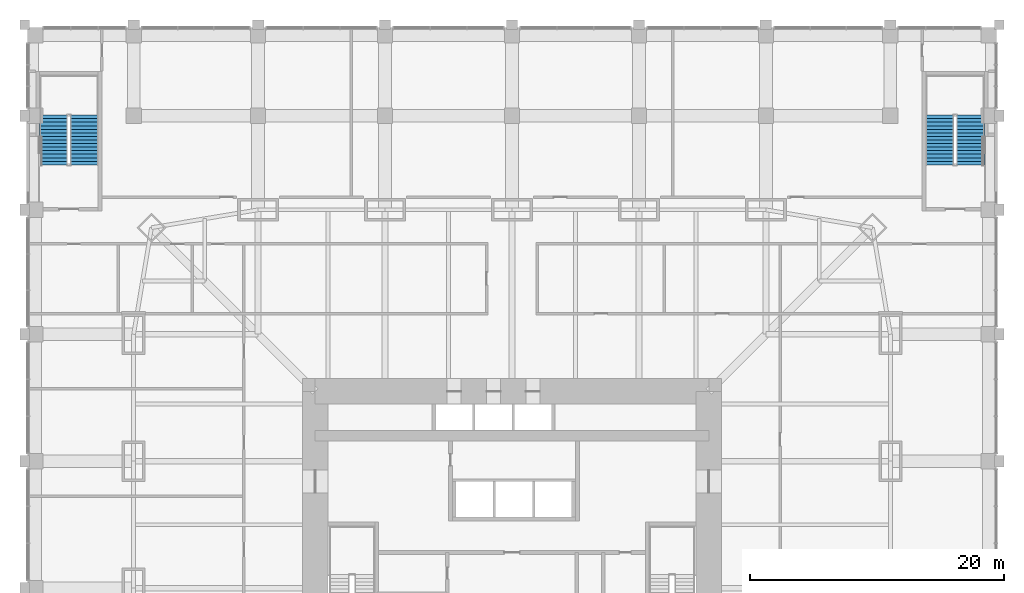
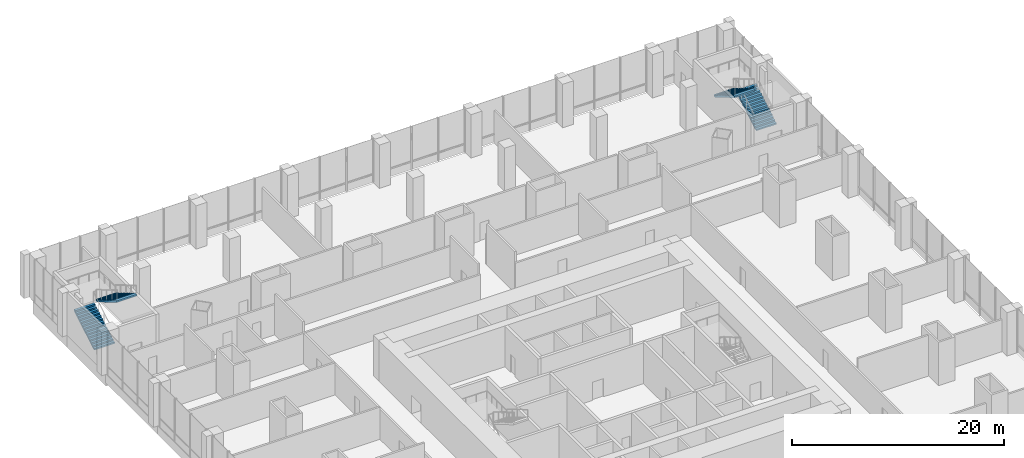
# One storey, part 22 of 24: 4 stair flights, 2 elements without a shape of their own.
"""IFC4 building model written with IfcOpenShell, lengths in metres."""

import ifcopenshell
import ifcopenshell.guid

model = None  # the IFC model being written
_history = None  # IfcOwnerHistory: only IFC2X3 demands one
_inside = {}  # id of a spatial element -> (the spatial element, [elements in it])
_under = {}  # id of a project, library or spatial element -> (it, [spatial elements below it])
_declared = {}  # id of a project -> (the project, [libraries it declares])
_typed = {}  # id of a type object -> (the type object, [elements of that type])
_made_of = {}  # id of a material, layer set ... -> (it, [elements and type objects made of it])


def new_model(schema):
    """Start an empty IFC model of exactly this schema.

    Asked for "IFC4X3", IfcOpenShell would pick the latest addendum, in which some entities
    have other attributes; the version numbers below select the first issue.
    IFC2X3 requires an IfcOwnerHistory on every rooted entity: one is made here for all.
    """
    global model, _history
    if schema == "IFC4X3":
        model = ifcopenshell.file(schema_version=(4, 3, 0, 0))
    else:
        model = ifcopenshell.file(schema=schema)
    _inside.clear()
    _under.clear()
    _declared.clear()
    _typed.clear()
    _made_of.clear()
    _history = None
    if model.schema == "IFC2X3":
        org = make("IfcOrganization", Name="unknown")
        user = make(
            "IfcPersonAndOrganization",
            ThePerson=make("IfcPerson", FamilyName="unknown"),
            TheOrganization=org,
        )
        app = make(
            "IfcApplication",
            ApplicationDeveloper=org,
            Version="unknown",
            ApplicationFullName="unknown",
            ApplicationIdentifier="unknown",
        )
        _history = make(
            "IfcOwnerHistory",
            OwningUser=user,
            OwningApplication=app,
            ChangeAction="ADDED",
            CreationDate=0,
        )
    return model


def make(cls, **values):
    """One entity of the class cls with the attributes given. An attribute that is None is left unset."""
    return model.create_entity(
        cls, **{name: value for name, value in values.items() if value is not None}
    )


def rooted(cls, **values):
    """An entity with a GlobalId (a new one), such as an element, a storey or a relation."""
    return make(cls, GlobalId=ifcopenshell.guid.new(), OwnerHistory=_history, **values)


def si_unit(unit_type, name, prefix=None):
    """IfcSIUnit, for example si_unit("LENGTHUNIT", "METRE", prefix="MILLI")."""
    return make("IfcSIUnit", UnitType=unit_type, Prefix=prefix, Name=name)


def assignment(units):
    """IfcUnitAssignment: the units of a project."""
    return None if units is None else make("IfcUnitAssignment", Units=units)


def point(xyz):
    """IfcCartesianPoint."""
    return None if xyz is None else make("IfcCartesianPoint", Coordinates=xyz)


def direction(xyz):
    """IfcDirection."""
    return None if xyz is None else make("IfcDirection", DirectionRatios=xyz)


def frame(location, z_axis=None, x_axis=None):
    """IfcAxis2Placement3D, a coordinate frame: its origin and axes. An axis left out is left unset."""
    return make(
        "IfcAxis2Placement3D",
        Location=point(location),
        Axis=direction(z_axis),
        RefDirection=direction(x_axis),
    )


def origin():
    """The frame at (0, 0, 0) with its axes left unset."""
    return frame((0.0, 0.0, 0.0))


def place(relative_to, where):
    """IfcLocalPlacement: puts the frame where relative to a parent placement (None: the world)."""
    return make(
        "IfcLocalPlacement", PlacementRelTo=relative_to, RelativePlacement=where
    )


def context(
    kind, dimensions, precision=None, world=None, true_north=None, identifier=None
):
    """IfcGeometricRepresentationContext, for example the 3D "Model" context."""
    return make(
        "IfcGeometricRepresentationContext",
        ContextIdentifier=identifier,
        ContextType=kind,
        CoordinateSpaceDimension=dimensions,
        Precision=precision,
        WorldCoordinateSystem=world,
        TrueNorth=true_north,
    )


def subcontext(parent, identifier, kind, view, scale=None):
    """IfcGeometricRepresentationSubContext, for example "Body" below "Model"."""
    return make(
        "IfcGeometricRepresentationSubContext",
        ContextIdentifier=identifier,
        ContextType=kind,
        ParentContext=parent,
        TargetScale=scale,
        TargetView=view,
    )


def project(units=None, contexts=None):
    """IfcProject with its units and contexts."""
    return rooted(
        "IfcProject",
        Name="project",
        RepresentationContexts=contexts,
        UnitsInContext=assignment(units),
    )


def spatial(cls, under=None, at=None, **own):
    """A site, building, storey or space (cls), placed at a placement, below another one or the project."""
    s = rooted(cls, ObjectPlacement=at, **own)
    if under is not None:
        _under.setdefault(under.id(), (under, []))[1].append(s)
    return s


def polyline(points):
    """IfcPolyline through the points."""
    return make("IfcPolyline", Points=[point(p) for p in points])


def outline(outer, holes=None, kind="AREA"):
    """IfcArbitraryClosedProfileDef: a profile drawn as a closed curve; with holes, ...WithVoids."""
    if holes is None:
        return make("IfcArbitraryClosedProfileDef", ProfileType=kind, OuterCurve=outer)
    return make(
        "IfcArbitraryProfileDefWithVoids",
        ProfileType=kind,
        OuterCurve=outer,
        InnerCurves=holes,
    )


def extrude(swept, where, along, depth):
    """IfcExtrudedAreaSolid: the profile swept, set in the frame where, extruded along a direction by depth."""
    return make(
        "IfcExtrudedAreaSolid",
        SweptArea=swept,
        Position=where,
        ExtrudedDirection=direction(along),
        Depth=depth,
    )


def shape(context_of_items, identifier, shape_type, items):
    """IfcShapeRepresentation: the items that make up one representation, for example the "Body"."""
    return make(
        "IfcShapeRepresentation",
        ContextOfItems=context_of_items,
        RepresentationIdentifier=identifier,
        RepresentationType=shape_type,
        Items=items,
    )


def material(Name=None, Category=None):
    """IfcMaterial."""
    return make("IfcMaterial", Name=Name, Category=Category)


def made_of(thing, what):
    """Note that an element or type object is made of a material, layer set ...; save() writes the relation."""
    if what is not None:
        _made_of.setdefault(what.id(), (what, []))[1].append(thing)
    return thing


def type_object(cls, material=None, **own):
    """A type object (cls), such as IfcWallType, which elements share."""
    return made_of(rooted(cls, **own), material)


def element(
    cls,
    number,
    at=None,
    inside=None,
    cuts=None,
    type_object=None,
    material=None,
    context=None,
    identifier="Body",
    shape_type=None,
    held_by="IfcProductDefinitionShape",
    body=None,
    shapes=None,
    **own,
):
    """One element of the class cls, such as IfcWall. Its Tag is "e" and its number.

    at: its placement. inside: the storey or other place that contains it. cuts: it is an
    opening in that element (IfcRelVoidsElement). A single representation is given by context,
    identifier, shape_type and body (its items); several are given by shapes. held_by: the class
    of the entity that holds the representations. save() writes the other relations.
    """
    e = rooted(cls, Tag="e%d" % number, ObjectPlacement=at, **own)
    if body is not None:
        shapes = [shape(context, identifier, shape_type, body)]
    if shapes is not None:
        e.Representation = make(held_by, Representations=shapes)
    if inside is not None:
        _inside.setdefault(inside.id(), (inside, []))[1].append(e)
    if cuts is not None:
        rooted(
            "IfcRelVoidsElement", RelatingBuildingElement=cuts, RelatedOpeningElement=e
        )
    if type_object is not None:
        _typed.setdefault(type_object.id(), (type_object, []))[1].append(e)
    return made_of(e, material)


def aggregate(whole, parts):
    """IfcRelAggregates: a whole, such as a stair, and the parts it consists of."""
    return rooted("IfcRelAggregates", RelatingObject=whole, RelatedObjects=parts)


def save(model, path):
    """Write the relations noted so far, then the file.

    IfcRelAggregates (storeys below a building ...), IfcRelContainedInSpatialStructure (elements
    in a storey), IfcRelDefinesByType, IfcRelAssociatesMaterial and IfcRelDeclares: one each for
    every whole, place, type object, material and project.
    """
    for whole, parts in _under.values():
        aggregate(whole, parts)
    for where, things in _inside.values():
        rooted(
            "IfcRelContainedInSpatialStructure",
            RelatedElements=things,
            RelatingStructure=where,
        )
    for kind, things in _typed.values():
        rooted("IfcRelDefinesByType", RelatedObjects=things, RelatingType=kind)
    for what, things in _made_of.values():
        rooted("IfcRelAssociatesMaterial", RelatedObjects=things, RelatingMaterial=what)
    for by, libraries in _declared.values():
        rooted("IfcRelDeclares", RelatingContext=by, RelatedDefinitions=libraries)
    model.write(path)


model = new_model("IFC4")

# Units and contexts
model_context = context("Model", 3, precision=1e-05, world=origin(), true_north=direction((0.0, 1.0)))
body_context = subcontext(model_context, "Body", "Model", "MODEL_VIEW")
ifc_project = project(units=[si_unit("LENGTHUNIT", "METRE"), si_unit("AREAUNIT", "SQUARE_METRE"), si_unit("VOLUMEUNIT", "CUBIC_METRE"), si_unit("PLANEANGLEUNIT", "RADIAN"), si_unit("MASSUNIT", "GRAM", prefix="KILO")], contexts=[model_context])

# Site, building, storey
site_placement = place(None, origin())
site = spatial("IfcSite", under=ifc_project, at=site_placement, CompositionType="ELEMENT")
building_placement = place(site_placement, origin())
building = spatial("IfcBuilding", under=site, at=building_placement, Name="Khuree Lantern Residences", CompositionType="ELEMENT")
storey_placement = place(building_placement, frame((0.0, 0.0, 11.0)))
storey = spatial("IfcBuildingStorey", under=building, at=storey_placement, Name="L02", CompositionType="ELEMENT", Elevation=11.0)

# Stair, stair flights
ifc_material = material(Name="Concrete C40/50", Category="concrete")
stair_type = type_object("IfcStairType", Name="STAIR ST3 HALF TURN 4600", PredefinedType="HALF_TURN_STAIR", material=ifc_material)
stair_1_placement = place(storey_placement, origin())
stair_1 = element("IfcStair", 1, at=stair_1_placement, inside=storey, type_object=stair_type, Name="Stair ST3", PredefinedType="HALF_TURN_STAIR")
stair_flight_type = type_object("IfcStairFlightType", Name="STAIR FLIGHT SF2 2200", PredefinedType="STRAIGHT", material=ifc_material)
stair_flight_1_placement = place(storey_placement, frame((-36.10009765625, 33.340087890625, 0.0), z_axis=(0.0, 0.0, 1.0), x_axis=(0.0, 1.0, 0.0)))
stair_flight_1 = element("IfcStairFlight", 2, at=stair_flight_1_placement, type_object=stair_flight_type, Name="ST3 flight 1", NumberOfRisers=15, NumberOfTreads=14, PredefinedType="STRAIGHT", RiserHeight=0.166666667, TreadLength=0.28, context=body_context, shape_type="SweptSolid", body=[
    extrude(outline(polyline([(0.0, 0.0), (0.0, 0.166748046875), (0.280029296875, 0.166748046875), (0.280029296875, 0.333251953125), (0.56005859375, 0.333251953125), (0.56005859375, 0.5), (0.840087890625, 0.5), (0.840087890625, 0.666748046875), (1.1201171875, 0.666748046875), (1.1201171875, 0.833251953125), (1.39990234375, 0.833251953125), (1.39990234375, 1.0), (1.679931640625, 1.0), (1.679931640625, 1.166748046875), (1.9599609375, 1.166748046875), (1.9599609375, 1.333251953125), (2.239990234375, 1.333251953125), (2.239990234375, 1.5), (2.52001953125, 1.5), (2.52001953125, 1.666748046875), (2.800048828125, 1.666748046875), (2.800048828125, 1.833251953125), (3.080078125, 1.833251953125), (3.080078125, 2.0), (3.360107421875, 2.0), (3.360107421875, 2.166748046875), (3.639892578125, 2.166748046875), (3.639892578125, 2.333251953125), (3.919921875, 2.333251953125), (3.919921875, 2.5), (3.919921875, 2.158935546875), (0.29296875, 0.0), (0.0, 0.0)])), frame((0.0, 1.10009765625, 0.0), z_axis=(0.0, -1.0, 0.0), x_axis=(1.0, 0.0, 0.0)), (0.0, 0.0, 1.0), 2.199951171875),
])
stair_flight_2_placement = place(storey_placement, frame((-33.699951171875, 37.260009765625, 2.5), z_axis=(0.0, 0.0, 1.0), x_axis=(0.0, -1.0, 0.0)))
stair_flight_2 = element("IfcStairFlight", 3, at=stair_flight_2_placement, type_object=stair_flight_type, Name="ST3 flight 2", NumberOfRisers=15, NumberOfTreads=14, PredefinedType="STRAIGHT", RiserHeight=0.166666667, TreadLength=0.28, context=body_context, shape_type="SweptSolid", body=[
    extrude(outline(polyline([(0.0, 0.0), (0.0, 0.166748046875), (0.280029296875, 0.166748046875), (0.280029296875, 0.333251953125), (0.56005859375, 0.333251953125), (0.56005859375, 0.5), (0.840087890625, 0.5), (0.840087890625, 0.666748046875), (1.1201171875, 0.666748046875), (1.1201171875, 0.833251953125), (1.39990234375, 0.833251953125), (1.39990234375, 1.0), (1.679931640625, 1.0), (1.679931640625, 1.166748046875), (1.9599609375, 1.166748046875), (1.9599609375, 1.333251953125), (2.239990234375, 1.333251953125), (2.239990234375, 1.5), (2.52001953125, 1.5), (2.52001953125, 1.666748046875), (2.800048828125, 1.666748046875), (2.800048828125, 1.833251953125), (3.080078125, 1.833251953125), (3.080078125, 2.0), (3.360107421875, 2.0), (3.360107421875, 2.166748046875), (3.639892578125, 2.166748046875), (3.639892578125, 2.333251953125), (3.919921875, 2.333251953125), (3.919921875, 2.5), (3.919921875, 2.158935546875), (0.29296875, 0.0), (0.0, 0.0)])), frame((0.0, 1.10009765625, 0.0), z_axis=(0.0, -1.0, 0.0), x_axis=(1.0, 0.0, 0.0)), (0.0, 0.0, 1.0), 2.199951171875),
])
aggregate(stair_1, [stair_flight_1, stair_flight_2])

stair_2_placement = place(storey_placement, origin())
stair_2 = element("IfcStair", 4, at=stair_2_placement, inside=storey, type_object=stair_type, Name="Stair ST4", PredefinedType="HALF_TURN_STAIR")
stair_flight_3_placement = place(storey_placement, frame((36.10009765625, 33.340087890625, 0.0), z_axis=(0.0, 0.0, 1.0), x_axis=(0.0, 1.0, 0.0)))
stair_flight_3 = element("IfcStairFlight", 5, at=stair_flight_3_placement, type_object=stair_flight_type, Name="ST4 flight 1", NumberOfRisers=15, NumberOfTreads=14, PredefinedType="STRAIGHT", RiserHeight=0.166666667, TreadLength=0.28, context=body_context, shape_type="SweptSolid", body=[
    extrude(outline(polyline([(0.0, 0.0), (0.0, 0.166748046875), (0.280029296875, 0.166748046875), (0.280029296875, 0.333251953125), (0.56005859375, 0.333251953125), (0.56005859375, 0.5), (0.840087890625, 0.5), (0.840087890625, 0.666748046875), (1.1201171875, 0.666748046875), (1.1201171875, 0.833251953125), (1.39990234375, 0.833251953125), (1.39990234375, 1.0), (1.679931640625, 1.0), (1.679931640625, 1.166748046875), (1.9599609375, 1.166748046875), (1.9599609375, 1.333251953125), (2.239990234375, 1.333251953125), (2.239990234375, 1.5), (2.52001953125, 1.5), (2.52001953125, 1.666748046875), (2.800048828125, 1.666748046875), (2.800048828125, 1.833251953125), (3.080078125, 1.833251953125), (3.080078125, 2.0), (3.360107421875, 2.0), (3.360107421875, 2.166748046875), (3.639892578125, 2.166748046875), (3.639892578125, 2.333251953125), (3.919921875, 2.333251953125), (3.919921875, 2.5), (3.919921875, 2.158935546875), (0.29296875, 0.0), (0.0, 0.0)])), frame((0.0, 1.10009765625, 0.0), z_axis=(0.0, -1.0, 0.0), x_axis=(1.0, 0.0, 0.0)), (0.0, 0.0, 1.0), 2.199951171875),
])
stair_flight_4_placement = place(storey_placement, frame((33.699951171875, 37.260009765625, 2.5), z_axis=(0.0, 0.0, 1.0), x_axis=(0.0, -1.0, 0.0)))
stair_flight_4 = element("IfcStairFlight", 6, at=stair_flight_4_placement, type_object=stair_flight_type, Name="ST4 flight 2", NumberOfRisers=15, NumberOfTreads=14, PredefinedType="STRAIGHT", RiserHeight=0.166666667, TreadLength=0.28, context=body_context, shape_type="SweptSolid", body=[
    extrude(outline(polyline([(0.0, 0.0), (0.0, 0.166748046875), (0.280029296875, 0.166748046875), (0.280029296875, 0.333251953125), (0.56005859375, 0.333251953125), (0.56005859375, 0.5), (0.840087890625, 0.5), (0.840087890625, 0.666748046875), (1.1201171875, 0.666748046875), (1.1201171875, 0.833251953125), (1.39990234375, 0.833251953125), (1.39990234375, 1.0), (1.679931640625, 1.0), (1.679931640625, 1.166748046875), (1.9599609375, 1.166748046875), (1.9599609375, 1.333251953125), (2.239990234375, 1.333251953125), (2.239990234375, 1.5), (2.52001953125, 1.5), (2.52001953125, 1.666748046875), (2.800048828125, 1.666748046875), (2.800048828125, 1.833251953125), (3.080078125, 1.833251953125), (3.080078125, 2.0), (3.360107421875, 2.0), (3.360107421875, 2.166748046875), (3.639892578125, 2.166748046875), (3.639892578125, 2.333251953125), (3.919921875, 2.333251953125), (3.919921875, 2.5), (3.919921875, 2.158935546875), (0.29296875, 0.0), (0.0, 0.0)])), frame((0.0, 1.10009765625, 0.0), z_axis=(0.0, -1.0, 0.0), x_axis=(1.0, 0.0, 0.0)), (0.0, 0.0, 1.0), 2.199951171875),
])
aggregate(stair_2, [stair_flight_3, stair_flight_4])

save(model, "model.ifc")
